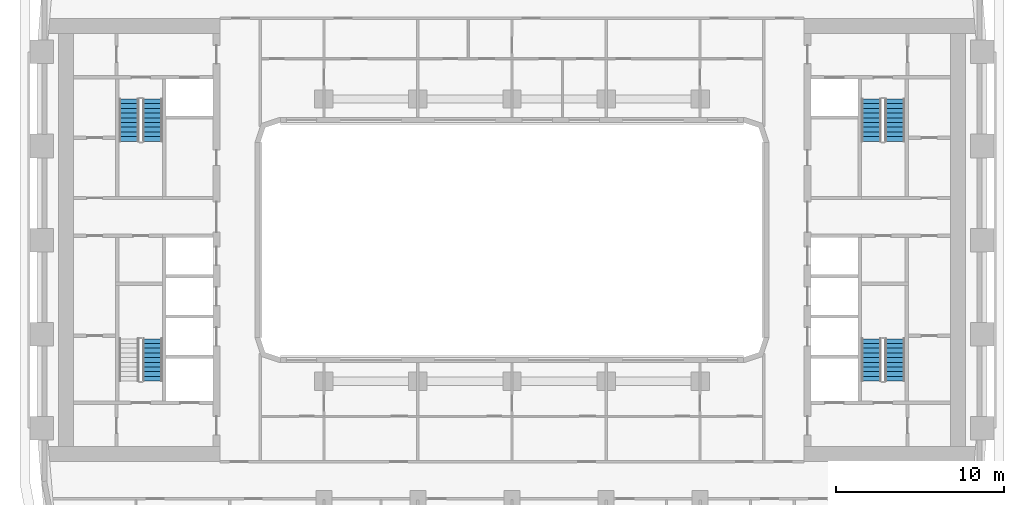
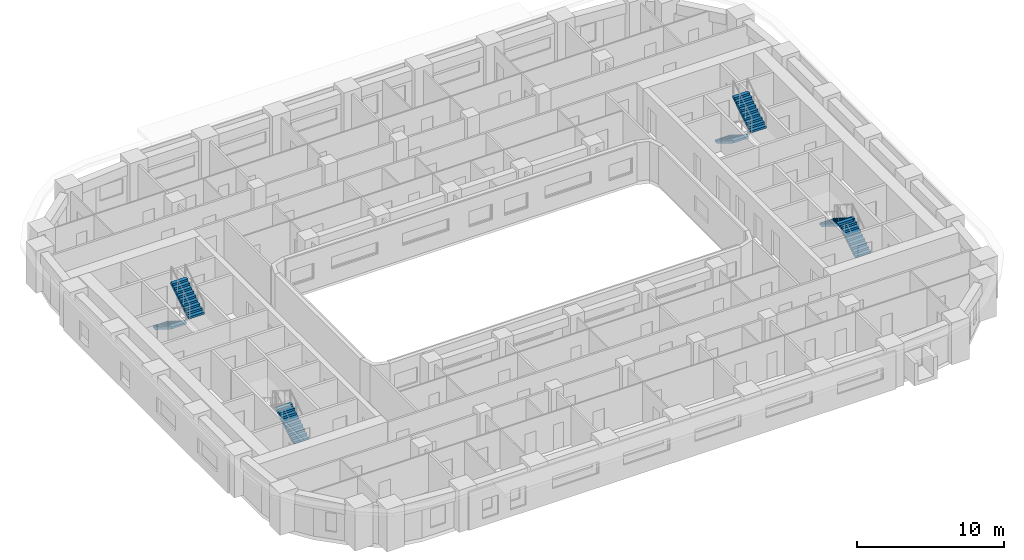
# One storey, part 10 of 22: 7 stair flights, 4 elements without a shape of their own.
"""IFC4 building model written with IfcOpenShell, lengths in metres."""

import ifcopenshell
import ifcopenshell.guid

model = None  # the IFC model being written
_history = None  # IfcOwnerHistory: only IFC2X3 demands one
_inside = {}  # id of a spatial element -> (the spatial element, [elements in it])
_under = {}  # id of a project, library or spatial element -> (it, [spatial elements below it])
_declared = {}  # id of a project -> (the project, [libraries it declares])
_typed = {}  # id of a type object -> (the type object, [elements of that type])
_made_of = {}  # id of a material, layer set ... -> (it, [elements and type objects made of it])


def new_model(schema):
    """Start an empty IFC model of exactly this schema.

    Asked for "IFC4X3", IfcOpenShell would pick the latest addendum, in which some entities
    have other attributes; the version numbers below select the first issue.
    IFC2X3 requires an IfcOwnerHistory on every rooted entity: one is made here for all.
    """
    global model, _history
    if schema == "IFC4X3":
        model = ifcopenshell.file(schema_version=(4, 3, 0, 0))
    else:
        model = ifcopenshell.file(schema=schema)
    _inside.clear()
    _under.clear()
    _declared.clear()
    _typed.clear()
    _made_of.clear()
    _history = None
    if model.schema == "IFC2X3":
        org = make("IfcOrganization", Name="unknown")
        user = make(
            "IfcPersonAndOrganization",
            ThePerson=make("IfcPerson", FamilyName="unknown"),
            TheOrganization=org,
        )
        app = make(
            "IfcApplication",
            ApplicationDeveloper=org,
            Version="unknown",
            ApplicationFullName="unknown",
            ApplicationIdentifier="unknown",
        )
        _history = make(
            "IfcOwnerHistory",
            OwningUser=user,
            OwningApplication=app,
            ChangeAction="ADDED",
            CreationDate=0,
        )
    return model


def make(cls, **values):
    """One entity of the class cls with the attributes given. An attribute that is None is left unset."""
    return model.create_entity(
        cls, **{name: value for name, value in values.items() if value is not None}
    )


def rooted(cls, **values):
    """An entity with a GlobalId (a new one), such as an element, a storey or a relation."""
    return make(cls, GlobalId=ifcopenshell.guid.new(), OwnerHistory=_history, **values)


def si_unit(unit_type, name, prefix=None):
    """IfcSIUnit, for example si_unit("LENGTHUNIT", "METRE", prefix="MILLI")."""
    return make("IfcSIUnit", UnitType=unit_type, Prefix=prefix, Name=name)


def assignment(units):
    """IfcUnitAssignment: the units of a project."""
    return None if units is None else make("IfcUnitAssignment", Units=units)


def point(xyz):
    """IfcCartesianPoint."""
    return None if xyz is None else make("IfcCartesianPoint", Coordinates=xyz)


def direction(xyz):
    """IfcDirection."""
    return None if xyz is None else make("IfcDirection", DirectionRatios=xyz)


def frame(location, z_axis=None, x_axis=None):
    """IfcAxis2Placement3D, a coordinate frame: its origin and axes. An axis left out is left unset."""
    return make(
        "IfcAxis2Placement3D",
        Location=point(location),
        Axis=direction(z_axis),
        RefDirection=direction(x_axis),
    )


def origin():
    """The frame at (0, 0, 0) with its axes left unset."""
    return frame((0.0, 0.0, 0.0))


def place(relative_to, where):
    """IfcLocalPlacement: puts the frame where relative to a parent placement (None: the world)."""
    return make(
        "IfcLocalPlacement", PlacementRelTo=relative_to, RelativePlacement=where
    )


def context(
    kind, dimensions, precision=None, world=None, true_north=None, identifier=None
):
    """IfcGeometricRepresentationContext, for example the 3D "Model" context."""
    return make(
        "IfcGeometricRepresentationContext",
        ContextIdentifier=identifier,
        ContextType=kind,
        CoordinateSpaceDimension=dimensions,
        Precision=precision,
        WorldCoordinateSystem=world,
        TrueNorth=true_north,
    )


def subcontext(parent, identifier, kind, view, scale=None):
    """IfcGeometricRepresentationSubContext, for example "Body" below "Model"."""
    return make(
        "IfcGeometricRepresentationSubContext",
        ContextIdentifier=identifier,
        ContextType=kind,
        ParentContext=parent,
        TargetScale=scale,
        TargetView=view,
    )


def project(units=None, contexts=None):
    """IfcProject with its units and contexts."""
    return rooted(
        "IfcProject",
        Name="project",
        RepresentationContexts=contexts,
        UnitsInContext=assignment(units),
    )


def spatial(cls, under=None, at=None, **own):
    """A site, building, storey or space (cls), placed at a placement, below another one or the project."""
    s = rooted(cls, ObjectPlacement=at, **own)
    if under is not None:
        _under.setdefault(under.id(), (under, []))[1].append(s)
    return s


def polyline(points):
    """IfcPolyline through the points."""
    return make("IfcPolyline", Points=[point(p) for p in points])


def outline(outer, holes=None, kind="AREA"):
    """IfcArbitraryClosedProfileDef: a profile drawn as a closed curve; with holes, ...WithVoids."""
    if holes is None:
        return make("IfcArbitraryClosedProfileDef", ProfileType=kind, OuterCurve=outer)
    return make(
        "IfcArbitraryProfileDefWithVoids",
        ProfileType=kind,
        OuterCurve=outer,
        InnerCurves=holes,
    )


def extrude(swept, where, along, depth):
    """IfcExtrudedAreaSolid: the profile swept, set in the frame where, extruded along a direction by depth."""
    return make(
        "IfcExtrudedAreaSolid",
        SweptArea=swept,
        Position=where,
        ExtrudedDirection=direction(along),
        Depth=depth,
    )


def shape(context_of_items, identifier, shape_type, items):
    """IfcShapeRepresentation: the items that make up one representation, for example the "Body"."""
    return make(
        "IfcShapeRepresentation",
        ContextOfItems=context_of_items,
        RepresentationIdentifier=identifier,
        RepresentationType=shape_type,
        Items=items,
    )


def material(Name=None, Category=None):
    """IfcMaterial."""
    return make("IfcMaterial", Name=Name, Category=Category)


def made_of(thing, what):
    """Note that an element or type object is made of a material, layer set ...; save() writes the relation."""
    if what is not None:
        _made_of.setdefault(what.id(), (what, []))[1].append(thing)
    return thing


def type_object(cls, material=None, **own):
    """A type object (cls), such as IfcWallType, which elements share."""
    return made_of(rooted(cls, **own), material)


def element(
    cls,
    number,
    at=None,
    inside=None,
    cuts=None,
    type_object=None,
    material=None,
    context=None,
    identifier="Body",
    shape_type=None,
    held_by="IfcProductDefinitionShape",
    body=None,
    shapes=None,
    **own,
):
    """One element of the class cls, such as IfcWall. Its Tag is "e" and its number.

    at: its placement. inside: the storey or other place that contains it. cuts: it is an
    opening in that element (IfcRelVoidsElement). A single representation is given by context,
    identifier, shape_type and body (its items); several are given by shapes. held_by: the class
    of the entity that holds the representations. save() writes the other relations.
    """
    e = rooted(cls, Tag="e%d" % number, ObjectPlacement=at, **own)
    if body is not None:
        shapes = [shape(context, identifier, shape_type, body)]
    if shapes is not None:
        e.Representation = make(held_by, Representations=shapes)
    if inside is not None:
        _inside.setdefault(inside.id(), (inside, []))[1].append(e)
    if cuts is not None:
        rooted(
            "IfcRelVoidsElement", RelatingBuildingElement=cuts, RelatedOpeningElement=e
        )
    if type_object is not None:
        _typed.setdefault(type_object.id(), (type_object, []))[1].append(e)
    return made_of(e, material)


def aggregate(whole, parts):
    """IfcRelAggregates: a whole, such as a stair, and the parts it consists of."""
    return rooted("IfcRelAggregates", RelatingObject=whole, RelatedObjects=parts)


def save(model, path):
    """Write the relations noted so far, then the file.

    IfcRelAggregates (storeys below a building ...), IfcRelContainedInSpatialStructure (elements
    in a storey), IfcRelDefinesByType, IfcRelAssociatesMaterial and IfcRelDeclares: one each for
    every whole, place, type object, material and project.
    """
    for whole, parts in _under.values():
        aggregate(whole, parts)
    for where, things in _inside.values():
        rooted(
            "IfcRelContainedInSpatialStructure",
            RelatedElements=things,
            RelatingStructure=where,
        )
    for kind, things in _typed.values():
        rooted("IfcRelDefinesByType", RelatedObjects=things, RelatingType=kind)
    for what, things in _made_of.values():
        rooted("IfcRelAssociatesMaterial", RelatedObjects=things, RelatingMaterial=what)
    for by, libraries in _declared.values():
        rooted("IfcRelDeclares", RelatingContext=by, RelatedDefinitions=libraries)
    model.write(path)


model = new_model("IFC4")

# Units and contexts
model_context = context("Model", 3, precision=1e-05, world=origin(), true_north=direction((0.0, 1.0)))
body_context = subcontext(model_context, "Body", "Model", "MODEL_VIEW")
ifc_project = project(units=[si_unit("LENGTHUNIT", "METRE"), si_unit("AREAUNIT", "SQUARE_METRE"), si_unit("VOLUMEUNIT", "CUBIC_METRE"), si_unit("PLANEANGLEUNIT", "RADIAN"), si_unit("MASSUNIT", "GRAM", prefix="KILO")], contexts=[model_context])

# Site, building, storey
site_placement = place(None, origin())
site = spatial("IfcSite", under=ifc_project, at=site_placement, CompositionType="ELEMENT")
building_placement = place(site_placement, origin())
building = spatial("IfcBuilding", under=site, at=building_placement, Name="Kiln Ring Residences", CompositionType="ELEMENT")
storey_placement = place(building_placement, frame((0.0, 0.0, 58.5)))
storey = spatial("IfcBuildingStorey", under=building, at=storey_placement, Name="L14", CompositionType="ELEMENT", Elevation=58.5)

# Stair, stair flights
ifc_material_1 = material(Name="Concrete C40/50", Category="concrete")
stair_type = type_object("IfcStairType", Name="CORE-STAIR", PredefinedType="HALF_TURN_STAIR", material=ifc_material_1)
placement = place(storey_placement, origin())
stair_1 = element("IfcStair", 1, at=placement, inside=storey, type_object=stair_type, Name="L14 stair W-STN", PredefinedType="HALF_TURN_STAIR")
ifc_material_2 = material(Name="Concrete C40/50", Category="concrete")
stair_flight_type = type_object("IfcStairFlightType", Name="CORE-STAIR-FLIGHT", PredefinedType="STRAIGHT", material=ifc_material_2)
stair_flight_1_placement = place(storey_placement, frame((-22.800048828125, 8.39990234375, 0.0), z_axis=(0.0, 0.0, 1.0), x_axis=(0.0, -1.0, 0.0)))
stair_flight_1 = element("IfcStairFlight", 2, at=stair_flight_1_placement, type_object=stair_flight_type, Name="W-STN flight 1", NumberOfRisers=10, NumberOfTreads=9, PredefinedType="STRAIGHT", RiserHeight=0.175, TreadLength=0.28, context=body_context, shape_type="SweptSolid", body=[
    extrude(outline(polyline([(0.0, 0.0), (0.0, 0.175048828125), (0.280029296875, 0.175048828125), (0.280029296875, 0.35009765625), (0.56005859375, 0.35009765625), (0.56005859375, 0.52490234375), (0.840087890625, 0.52490234375), (0.840087890625, 0.699951171875), (1.1201171875, 0.699951171875), (1.1201171875, 0.875), (1.39990234375, 0.875), (1.39990234375, 1.050048828125), (1.679931640625, 1.050048828125), (1.679931640625, 1.22509765625), (1.9599609375, 1.22509765625), (1.9599609375, 1.39990234375), (2.239990234375, 1.39990234375), (2.239990234375, 1.574951171875), (2.52001953125, 1.574951171875), (2.52001953125, 1.75), (2.52001953125, 1.398193359375), (0.28271484375, 0.0), (0.0, 0.0)])), frame((0.0, 0.60009765625, 0.0), z_axis=(0.0, -1.0, 0.0), x_axis=(1.0, 0.0, 0.0)), (0.0, 0.0, 1.0), 1.199951171875),
])
stair_flight_2_placement = place(storey_placement, frame((-21.39990234375, 5.8798828125, 1.75), z_axis=(0.0, 0.0, 1.0), x_axis=(0.0, 1.0, 0.0)))
stair_flight_2 = element("IfcStairFlight", 3, at=stair_flight_2_placement, type_object=stair_flight_type, Name="W-STN flight 2", NumberOfRisers=10, NumberOfTreads=9, PredefinedType="STRAIGHT", RiserHeight=0.175, TreadLength=0.28, context=body_context, shape_type="SweptSolid", body=[
    extrude(outline(polyline([(0.0, 0.0), (0.0, 0.175048828125), (0.280029296875, 0.175048828125), (0.280029296875, 0.35009765625), (0.56005859375, 0.35009765625), (0.56005859375, 0.52490234375), (0.840087890625, 0.52490234375), (0.840087890625, 0.699951171875), (1.1201171875, 0.699951171875), (1.1201171875, 0.875), (1.39990234375, 0.875), (1.39990234375, 1.050048828125), (1.679931640625, 1.050048828125), (1.679931640625, 1.22509765625), (1.9599609375, 1.22509765625), (1.9599609375, 1.39990234375), (2.239990234375, 1.39990234375), (2.239990234375, 1.574951171875), (2.52001953125, 1.574951171875), (2.52001953125, 1.75), (2.52001953125, 1.398193359375), (0.28271484375, 0.0), (0.0, 0.0)])), frame((0.0, 0.60009765625, 0.0), z_axis=(0.0, -1.0, 0.0), x_axis=(1.0, 0.0, 0.0)), (0.0, 0.0, 1.0), 1.199951171875),
])
aggregate(stair_1, [stair_flight_1, stair_flight_2])

# Stair, stair flight
stair_2 = element("IfcStair", 4, at=placement, inside=storey, type_object=stair_type, Name="L14 stair W-STS", PredefinedType="HALF_TURN_STAIR")
stair_flight_3_placement = place(storey_placement, frame((-21.39990234375, -8.39990234375, 0.0), z_axis=(0.0, 0.0, 1.0), x_axis=(0.0, 1.0, 0.0)))
stair_flight_3 = element("IfcStairFlight", 5, at=stair_flight_3_placement, type_object=stair_flight_type, Name="W-STS flight 1", NumberOfRisers=10, NumberOfTreads=9, PredefinedType="STRAIGHT", RiserHeight=0.175, TreadLength=0.28, context=body_context, shape_type="SweptSolid", body=[
    extrude(outline(polyline([(0.0, 0.0), (0.0, 0.175048828125), (0.280029296875, 0.175048828125), (0.280029296875, 0.35009765625), (0.56005859375, 0.35009765625), (0.56005859375, 0.52490234375), (0.840087890625, 0.52490234375), (0.840087890625, 0.699951171875), (1.1201171875, 0.699951171875), (1.1201171875, 0.875), (1.39990234375, 0.875), (1.39990234375, 1.050048828125), (1.679931640625, 1.050048828125), (1.679931640625, 1.22509765625), (1.9599609375, 1.22509765625), (1.9599609375, 1.39990234375), (2.239990234375, 1.39990234375), (2.239990234375, 1.574951171875), (2.52001953125, 1.574951171875), (2.52001953125, 1.75), (2.52001953125, 1.398193359375), (0.28271484375, 0.0), (0.0, 0.0)])), frame((0.0, 0.60009765625, 0.0), z_axis=(0.0, -1.0, 0.0), x_axis=(1.0, 0.0, 0.0)), (0.0, 0.0, 1.0), 1.199951171875),
])
aggregate(stair_2, [stair_flight_3])

# Stair, stair flights
stair_3 = element("IfcStair", 6, at=placement, inside=storey, type_object=stair_type, Name="L14 stair E-STN", PredefinedType="HALF_TURN_STAIR")
stair_flight_4_placement = place(storey_placement, frame((21.39990234375, 8.39990234375, 0.0), z_axis=(0.0, 0.0, 1.0), x_axis=(0.0, -1.0, 0.0)))
stair_flight_4 = element("IfcStairFlight", 7, at=stair_flight_4_placement, type_object=stair_flight_type, Name="E-STN flight 1", NumberOfRisers=10, NumberOfTreads=9, PredefinedType="STRAIGHT", RiserHeight=0.175, TreadLength=0.28, context=body_context, shape_type="SweptSolid", body=[
    extrude(outline(polyline([(0.0, 0.0), (0.0, 0.175048828125), (0.280029296875, 0.175048828125), (0.280029296875, 0.35009765625), (0.56005859375, 0.35009765625), (0.56005859375, 0.52490234375), (0.840087890625, 0.52490234375), (0.840087890625, 0.699951171875), (1.1201171875, 0.699951171875), (1.1201171875, 0.875), (1.39990234375, 0.875), (1.39990234375, 1.050048828125), (1.679931640625, 1.050048828125), (1.679931640625, 1.22509765625), (1.9599609375, 1.22509765625), (1.9599609375, 1.39990234375), (2.239990234375, 1.39990234375), (2.239990234375, 1.574951171875), (2.52001953125, 1.574951171875), (2.52001953125, 1.75), (2.52001953125, 1.398193359375), (0.28271484375, 0.0), (0.0, 0.0)])), frame((0.0, 0.60009765625, 0.0), z_axis=(0.0, -1.0, 0.0), x_axis=(1.0, 0.0, 0.0)), (0.0, 0.0, 1.0), 1.199951171875),
])
stair_flight_5_placement = place(storey_placement, frame((22.800048828125, 5.8798828125, 1.75), z_axis=(0.0, 0.0, 1.0), x_axis=(0.0, 1.0, 0.0)))
stair_flight_5 = element("IfcStairFlight", 8, at=stair_flight_5_placement, type_object=stair_flight_type, Name="E-STN flight 2", NumberOfRisers=10, NumberOfTreads=9, PredefinedType="STRAIGHT", RiserHeight=0.175, TreadLength=0.28, context=body_context, shape_type="SweptSolid", body=[
    extrude(outline(polyline([(0.0, 0.0), (0.0, 0.175048828125), (0.280029296875, 0.175048828125), (0.280029296875, 0.35009765625), (0.56005859375, 0.35009765625), (0.56005859375, 0.52490234375), (0.840087890625, 0.52490234375), (0.840087890625, 0.699951171875), (1.1201171875, 0.699951171875), (1.1201171875, 0.875), (1.39990234375, 0.875), (1.39990234375, 1.050048828125), (1.679931640625, 1.050048828125), (1.679931640625, 1.22509765625), (1.9599609375, 1.22509765625), (1.9599609375, 1.39990234375), (2.239990234375, 1.39990234375), (2.239990234375, 1.574951171875), (2.52001953125, 1.574951171875), (2.52001953125, 1.75), (2.52001953125, 1.398193359375), (0.28271484375, 0.0), (0.0, 0.0)])), frame((0.0, 0.60009765625, 0.0), z_axis=(0.0, -1.0, 0.0), x_axis=(1.0, 0.0, 0.0)), (0.0, 0.0, 1.0), 1.199951171875),
])
aggregate(stair_3, [stair_flight_4, stair_flight_5])

stair_4 = element("IfcStair", 9, at=placement, inside=storey, type_object=stair_type, Name="L14 stair E-STS", PredefinedType="HALF_TURN_STAIR")
stair_flight_6_placement = place(storey_placement, frame((22.800048828125, -8.39990234375, 0.0), z_axis=(0.0, 0.0, 1.0), x_axis=(0.0, 1.0, 0.0)))
stair_flight_6 = element("IfcStairFlight", 10, at=stair_flight_6_placement, type_object=stair_flight_type, Name="E-STS flight 1", NumberOfRisers=10, NumberOfTreads=9, PredefinedType="STRAIGHT", RiserHeight=0.175, TreadLength=0.28, context=body_context, shape_type="SweptSolid", body=[
    extrude(outline(polyline([(0.0, 0.0), (0.0, 0.175048828125), (0.280029296875, 0.175048828125), (0.280029296875, 0.35009765625), (0.56005859375, 0.35009765625), (0.56005859375, 0.52490234375), (0.840087890625, 0.52490234375), (0.840087890625, 0.699951171875), (1.1201171875, 0.699951171875), (1.1201171875, 0.875), (1.39990234375, 0.875), (1.39990234375, 1.050048828125), (1.679931640625, 1.050048828125), (1.679931640625, 1.22509765625), (1.9599609375, 1.22509765625), (1.9599609375, 1.39990234375), (2.239990234375, 1.39990234375), (2.239990234375, 1.574951171875), (2.52001953125, 1.574951171875), (2.52001953125, 1.75), (2.52001953125, 1.398193359375), (0.28271484375, 0.0), (0.0, 0.0)])), frame((0.0, 0.60009765625, 0.0), z_axis=(0.0, -1.0, 0.0), x_axis=(1.0, 0.0, 0.0)), (0.0, 0.0, 1.0), 1.199951171875),
])
stair_flight_7_placement = place(storey_placement, frame((21.39990234375, -5.8798828125, 1.75), z_axis=(0.0, 0.0, 1.0), x_axis=(0.0, -1.0, 0.0)))
stair_flight_7 = element("IfcStairFlight", 11, at=stair_flight_7_placement, type_object=stair_flight_type, Name="E-STS flight 2", NumberOfRisers=10, NumberOfTreads=9, PredefinedType="STRAIGHT", RiserHeight=0.175, TreadLength=0.28, context=body_context, shape_type="SweptSolid", body=[
    extrude(outline(polyline([(0.0, 0.0), (0.0, 0.175048828125), (0.280029296875, 0.175048828125), (0.280029296875, 0.35009765625), (0.56005859375, 0.35009765625), (0.56005859375, 0.52490234375), (0.840087890625, 0.52490234375), (0.840087890625, 0.699951171875), (1.1201171875, 0.699951171875), (1.1201171875, 0.875), (1.39990234375, 0.875), (1.39990234375, 1.050048828125), (1.679931640625, 1.050048828125), (1.679931640625, 1.22509765625), (1.9599609375, 1.22509765625), (1.9599609375, 1.39990234375), (2.239990234375, 1.39990234375), (2.239990234375, 1.574951171875), (2.52001953125, 1.574951171875), (2.52001953125, 1.75), (2.52001953125, 1.398193359375), (0.28271484375, 0.0), (0.0, 0.0)])), frame((0.0, 0.60009765625, 0.0), z_axis=(0.0, -1.0, 0.0), x_axis=(1.0, 0.0, 0.0)), (0.0, 0.0, 1.0), 1.199951171875),
])
aggregate(stair_4, [stair_flight_6, stair_flight_7])

save(model, "model.ifc")
